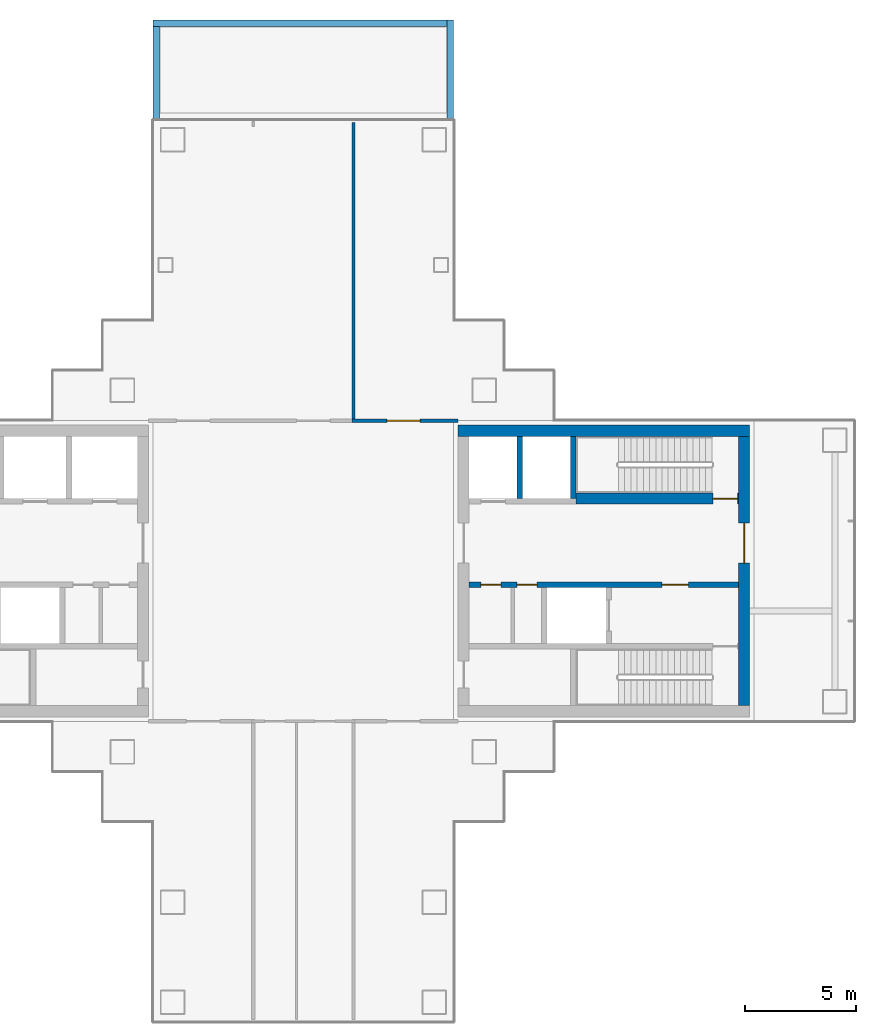
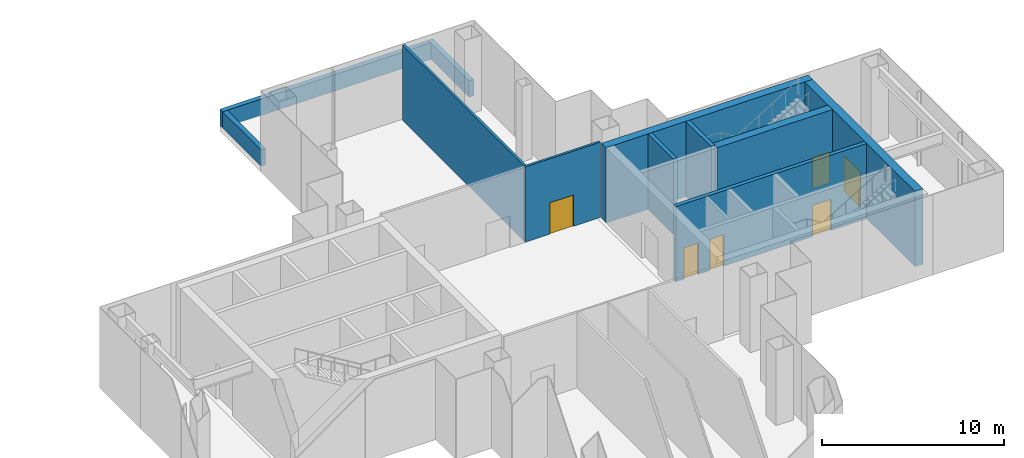
# One storey, part 12 of 15: 11 walls, 6 doors, 6 openings.
"""IFC4 building model written with IfcOpenShell, lengths in metres."""

from ifc_helpers import new_model, si_unit, direction, frame, frame_2d, origin, place, context, subcontext, project, spatial, rectangle, extrude, material, layer, layer_set, type_object, element, fill, save


model = new_model("IFC4")

# Units and contexts
model_context = context("Model", 3, precision=1e-05, world=origin(), true_north=direction((0.0, 1.0)))
body_context = subcontext(model_context, "Body", "Model", "MODEL_VIEW")
ifc_project = project(units=[si_unit("LENGTHUNIT", "METRE"), si_unit("AREAUNIT", "SQUARE_METRE"), si_unit("VOLUMEUNIT", "CUBIC_METRE"), si_unit("PLANEANGLEUNIT", "RADIAN"), si_unit("MASSUNIT", "GRAM", prefix="KILO")], contexts=[model_context])

# Site, building, storey
site_placement = place(None, origin())
site = spatial("IfcSite", under=ifc_project, at=site_placement, CompositionType="ELEMENT")
building_placement = place(site_placement, origin())
building = spatial("IfcBuilding", under=site, at=building_placement, Name="Shamsa Quay Exchange Towers", CompositionType="ELEMENT")
storey_placement = place(building_placement, frame((0.0, 0.0, 133.5)))
storey = spatial("IfcBuildingStorey", under=building, at=storey_placement, Name="L31", CompositionType="ELEMENT", Elevation=133.5)

# Wall
ifc_material_1 = material(Name="Concrete C60/75", Category="concrete")
ifc_layer_1 = layer(ifc_material_1, 0.5)
ifc_layer_set_1 = layer_set([ifc_layer_1], Name="CORE WALL 500 C60/75")
wall_type_1 = type_object("IfcWallType", Name="CORE WALL 500 C60/75", PredefinedType="SHEAR", material=ifc_layer_set_1)
wall_1_placement = place(storey_placement, frame((53.800048828125, 6.300048828125, 0.0), z_axis=(0.0, 0.0, 1.0), x_axis=(-1.0, 0.0, 0.0)))
element("IfcWall", 1, at=wall_1_placement, inside=storey, type_object=wall_type_1, Name="Core wall T2B-L31-PN", PredefinedType="SHEAR", context=body_context, shape_type="SweptSolid", body=[
    extrude(rectangle(XDim=13.10009765625, YDim=0.5, at=frame_2d((6.550048828125, 0.0))), origin(), (0.0, 0.0, 1.0), 5.050048828125),
])

# Wall, opening, door
wall_2_placement = place(storey_placement, frame((53.550048828125, -6.050048828125, 0.0), z_axis=(0.0, 0.0, 1.0), x_axis=(0.0, 1.0, 0.0)))
wall_2 = element("IfcWall", 2, at=wall_2_placement, inside=storey, type_object=wall_type_1, Name="Core wall T2B-L31-PF", PredefinedType="SHEAR", context=body_context, shape_type="SweptSolid", body=[
    extrude(rectangle(XDim=12.10009765625, YDim=0.5, at=frame_2d((6.050048828125, 0.0))), origin(), (0.0, 0.0, 1.0), 5.050048828125),
])
opening_1_placement = place(wall_2_placement, frame((6.39990234375, 0.0, 0.0)))
opening_1 = element("IfcOpeningElement", 3, at=opening_1_placement, cuts=wall_2, Name="Opening T2B-L31-LBD01", PredefinedType="OPENING", context=body_context, shape_type="SweptSolid", body=[
    extrude(rectangle(XDim=1.800048828125, YDim=2.39990234375, at=frame_2d((0.89990234375, 1.199951171875))), frame((0.0, 0.260009765625, 0.0), z_axis=(0.0, -1.0, 0.0), x_axis=(1.0, 0.0, 0.0)), (0.0, 0.0, 1.0), 0.52001953125),
])
ifc_material_2 = material(Name="Steel, fire rated", Category="steel")
door_type_1 = type_object("IfcDoorType", Name="LIFT LOBBY DOOR PAIR 1800", OperationType="DOUBLE_DOOR_SINGLE_SWING", PredefinedType="DOOR", material=ifc_material_2)
door_1_placement = place(opening_1_placement, origin())
door_1 = element("IfcDoor", 4, at=door_1_placement, inside=storey, type_object=door_type_1, Name="T2B-L31-LBD01", OperationType="DOUBLE_DOOR_SINGLE_SWING", OverallHeight=2.39990234375, OverallWidth=1.800048828125, PredefinedType="DOOR", context=body_context, shape_type="SweptSolid", body=[
    extrude(rectangle(XDim=1.800048828125, YDim=2.39990234375, at=frame_2d((0.89990234375, 1.199951171875))), frame((0.0, 0.02490234375, 0.0), z_axis=(0.0, -1.0, 0.0), x_axis=(1.0, 0.0, 0.0)), (0.0, 0.0, 1.0), 0.050048828125),
])
fill(opening_1, door_1)

ifc_material_3 = material(Name="Gypsum board partition on metal studs")
ifc_layer_2 = layer(ifc_material_3, 0.14990234375)
ifc_layer_set_2 = layer_set([ifc_layer_2], Name="Partition 150 mm EI 60")
wall_type_2 = type_object("IfcWallType", Name="Partition 150 mm EI 60", PredefinedType="PARTITIONING", material=ifc_layer_set_2)
wall_3_placement = place(storey_placement, frame((35.925048828125, 6.75, 0.0)))
wall_3 = element("IfcWall", 5, at=wall_3_placement, inside=storey, type_object=wall_type_2, Name="Partition T2-L31-W01", PredefinedType="PARTITIONING", context=body_context, shape_type="SweptSolid", body=[
    extrude(rectangle(XDim=4.77490234375, YDim=0.14990234375, at=frame_2d((2.387451171875, 0.0))), origin(), (0.0, 0.0, 1.0), 5.050048828125),
])
opening_2_placement = place(wall_3_placement, frame((1.574951171875, 0.0, 0.0)))
opening_2 = element("IfcOpeningElement", 6, at=opening_2_placement, cuts=wall_3, Name="Opening T2-L31-D01", PredefinedType="OPENING", context=body_context, shape_type="SweptSolid", body=[
    extrude(rectangle(XDim=1.5, YDim=2.10009765625, at=frame_2d((0.75, 1.050048828125))), frame((0.0, 0.0849609375, 0.0), z_axis=(0.0, -1.0, 0.0), x_axis=(1.0, 0.0, 0.0)), (0.0, 0.0, 1.0), 0.169921875),
])
ifc_material_4 = material(Name="Timber door leaf in a metal frame", Category="wood")
door_type_2 = type_object("IfcDoorType", Name="Door 1500x2100 FD30S pair", OperationType="NOTDEFINED", PredefinedType="DOOR", material=ifc_material_4)
door_2_placement = place(opening_2_placement, origin())
door_2 = element("IfcDoor", 7, at=door_2_placement, inside=storey, type_object=door_type_2, Name="Door T2-L31-D01", OperationType="DOUBLE_DOOR_SINGLE_SWING", OverallHeight=2.10009765625, OverallWidth=1.5, PredefinedType="DOOR", context=body_context, shape_type="SweptSolid", body=[
    extrude(rectangle(XDim=1.5, YDim=2.10009765625, at=frame_2d((0.75, 1.050048828125))), frame((0.0, 0.02490234375, 0.0), z_axis=(0.0, -1.0, 0.0), x_axis=(1.0, 0.0, 0.0)), (0.0, 0.0, 1.0), 0.050048828125),
])
fill(opening_2, door_2)

# Walls
wall_4_placement = place(storey_placement, frame((36.0, 20.155029296875, 0.0), z_axis=(0.0, 0.0, 1.0), x_axis=(0.0, -1.0, 0.0)))
element("IfcWall", 8, at=wall_4_placement, inside=storey, type_object=wall_type_2, Name="Partition T2-L31-W07", PredefinedType="PARTITIONING", context=body_context, shape_type="SweptSolid", body=[
    extrude(rectangle(XDim=13.330078125, YDim=0.14990234375, at=frame_2d((6.6650390625, 0.0))), origin(), (0.0, 0.0, 1.0), 5.050048828125),
])
ifc_material_5 = material(Name="Reinforced concrete C30/37", Category="concrete")
ifc_layer_3 = layer(ifc_material_5, 0.300048828125)
ifc_layer_set_3 = layer_set([ifc_layer_3], Name="ROOF PARAPET 300 C30/37")
wall_type_3 = type_object("IfcWallType", Name="ROOF PARAPET 300 C30/37", PredefinedType="PARAPET", material=ifc_layer_set_3)
wall_5_placement = place(storey_placement, frame((40.35009765625, 20.25, 0.0), z_axis=(0.0, 0.0, 1.0), x_axis=(0.0, 1.0, 0.0)))
element("IfcWall", 9, at=wall_5_placement, inside=storey, type_object=wall_type_3, Name="Parapet L30 1", PredefinedType="PARAPET", context=body_context, shape_type="SweptSolid", body=[
    extrude(rectangle(XDim=4.5, YDim=0.300048828125, at=frame_2d((2.25, 0.0))), origin(), (0.0, 0.0, 1.0), 1.10009765625),
])
wall_6_placement = place(storey_placement, frame((40.199951171875, 24.60009765625, 0.0), z_axis=(0.0, 0.0, 1.0), x_axis=(-1.0, 0.0, 0.0)))
element("IfcWall", 10, at=wall_6_placement, inside=storey, type_object=wall_type_3, Name="Parapet L30 2", PredefinedType="PARAPET", context=body_context, shape_type="SweptSolid", body=[
    extrude(rectangle(XDim=13.199951171875, YDim=0.300048828125, at=frame_2d((6.60009765625, 0.0))), origin(), (0.0, 0.0, 1.0), 1.10009765625),
])
wall_7_placement = place(storey_placement, frame((27.14990234375, 24.449951171875, 0.0), z_axis=(0.0, 0.0, 1.0), x_axis=(0.0, -1.0, 0.0)))
element("IfcWall", 11, at=wall_7_placement, inside=storey, type_object=wall_type_3, Name="Parapet L30 3", PredefinedType="PARAPET", context=body_context, shape_type="SweptSolid", body=[
    extrude(rectangle(XDim=4.199951171875, YDim=0.300048828125, at=frame_2d((2.10009765625, 0.0))), origin(), (0.0, 0.0, 1.0), 1.10009765625),
])

# Wall, openings, doors
ifc_material_6 = material(Name="Concrete C50/60", Category="concrete")
ifc_layer_4 = layer(ifc_material_6, 0.25)
ifc_layer_set_4 = layer_set([ifc_layer_4], Name="SHAFT WALL 250 C50/60")
wall_type_4 = type_object("IfcWallType", Name="SHAFT WALL 250 C50/60", PredefinedType="SHEAR", material=ifc_layer_set_4)
wall_8_placement = place(storey_placement, frame((53.300048828125, -0.625, 0.0), z_axis=(0.0, 0.0, 1.0), x_axis=(-1.0, 0.0, 0.0)))
wall_8 = element("IfcWall", 12, at=wall_8_placement, inside=storey, type_object=wall_type_4, Name="Shaft wall T2B-L31-B", PredefinedType="SHEAR", context=body_context, shape_type="SweptSolid", body=[
    extrude(rectangle(XDim=12.10009765625, YDim=0.25, at=frame_2d((6.050048828125, 0.0))), origin(), (0.0, 0.0, 1.0), 5.050048828125),
])
opening_3_placement = place(wall_8_placement, frame((2.25, 0.0, 0.0)))
opening_3 = element("IfcOpeningElement", 13, at=opening_3_placement, cuts=wall_8, Name="Opening T2B-L31-FD05", PredefinedType="OPENING", context=body_context, shape_type="SweptSolid", body=[
    extrude(rectangle(XDim=1.199951171875, YDim=2.10009765625, at=frame_2d((0.60009765625, 1.050048828125))), frame((0.0, 0.135009765625, 0.0), z_axis=(0.0, -1.0, 0.0), x_axis=(1.0, 0.0, 0.0)), (0.0, 0.0, 1.0), 0.27001953125),
])
opening_4_placement = place(wall_8_placement, frame((9.050048828125, 0.0, 0.0)))
opening_4 = element("IfcOpeningElement", 14, at=opening_4_placement, cuts=wall_8, Name="Opening T2B-L31-SV06", PredefinedType="OPENING", context=body_context, shape_type="SweptSolid", body=[
    extrude(rectangle(XDim=0.89990234375, YDim=2.10009765625, at=frame_2d((0.449951171875, 1.050048828125))), frame((0.0, 0.135009765625, 0.0), z_axis=(0.0, -1.0, 0.0), x_axis=(1.0, 0.0, 0.0)), (0.0, 0.0, 1.0), 0.27001953125),
])
opening_5_placement = place(wall_8_placement, frame((10.675048828125, 0.0, 0.0)))
opening_5 = element("IfcOpeningElement", 15, at=opening_5_placement, cuts=wall_8, Name="Opening T2B-L31-SV07", PredefinedType="OPENING", context=body_context, shape_type="SweptSolid", body=[
    extrude(rectangle(XDim=0.89990234375, YDim=2.10009765625, at=frame_2d((0.449951171875, 1.050048828125))), frame((0.0, 0.135009765625, 0.0), z_axis=(0.0, -1.0, 0.0), x_axis=(1.0, 0.0, 0.0)), (0.0, 0.0, 1.0), 0.27001953125),
])
door_type_3 = type_object("IfcDoorType", Name="FIRE SERVICE LOBBY DOOR 1200", OperationType="SINGLE_SWING_LEFT", PredefinedType="DOOR", material=ifc_material_2)
door_3_placement = place(opening_3_placement, origin())
door_3 = element("IfcDoor", 16, at=door_3_placement, inside=storey, type_object=door_type_3, Name="T2B-L31-FD05", OperationType="SINGLE_SWING_LEFT", OverallHeight=2.10009765625, OverallWidth=1.199951171875, PredefinedType="DOOR", context=body_context, shape_type="SweptSolid", body=[
    extrude(rectangle(XDim=1.199951171875, YDim=2.10009765625, at=frame_2d((0.60009765625, 1.050048828125))), frame((0.0, 0.02490234375, 0.0), z_axis=(0.0, -1.0, 0.0), x_axis=(1.0, 0.0, 0.0)), (0.0, 0.0, 1.0), 0.050048828125),
])
fill(opening_3, door_3)
door_type_4 = type_object("IfcDoorType", Name="SERVICE ROOM DOOR 900", OperationType="SINGLE_SWING_LEFT", PredefinedType="DOOR", material=ifc_material_2)
door_4_placement = place(opening_4_placement, origin())
door_4 = element("IfcDoor", 17, at=door_4_placement, inside=storey, type_object=door_type_4, Name="T2B-L31-SV06", OperationType="SINGLE_SWING_RIGHT", OverallHeight=2.10009765625, OverallWidth=0.89990234375, PredefinedType="DOOR", context=body_context, shape_type="SweptSolid", body=[
    extrude(rectangle(XDim=0.89990234375, YDim=2.10009765625, at=frame_2d((0.449951171875, 1.050048828125))), frame((0.0, 0.02490234375, 0.0), z_axis=(0.0, -1.0, 0.0), x_axis=(1.0, 0.0, 0.0)), (0.0, 0.0, 1.0), 0.050048828125),
])
fill(opening_4, door_4)
door_5_placement = place(opening_5_placement, origin())
door_5 = element("IfcDoor", 18, at=door_5_placement, inside=storey, type_object=door_type_4, Name="T2B-L31-SV07", OperationType="SINGLE_SWING_RIGHT", OverallHeight=2.10009765625, OverallWidth=0.89990234375, PredefinedType="DOOR", context=body_context, shape_type="SweptSolid", body=[
    extrude(rectangle(XDim=0.89990234375, YDim=2.10009765625, at=frame_2d((0.449951171875, 1.050048828125))), frame((0.0, 0.02490234375, 0.0), z_axis=(0.0, -1.0, 0.0), x_axis=(1.0, 0.0, 0.0)), (0.0, 0.0, 1.0), 0.050048828125),
])
fill(opening_5, door_5)

# Walls
for number, where, z_axis, x_axis, name in (
    (19, (45.875, 3.25, 0.0), (0.0, 0.0, 1.0), (0.0, 1.0, 0.0), "Shaft wall T2B-L31-STF2"),
    (20, (43.47509765625, 3.25, 0.0), (0.0, 0.0, 1.0), (0.0, 1.0, 0.0), "Shaft wall T2B-L31-D0"),
):
    element("IfcWall", number, at=place(storey_placement, frame(where, z_axis=z_axis, x_axis=x_axis)), inside=storey, type_object=wall_type_4, Name=name, PredefinedType="SHEAR", context=body_context, shape_type="SweptSolid", body=[
        extrude(rectangle(XDim=2.800048828125, YDim=0.25, at=frame_2d((1.39990234375, 0.0))), origin(), (0.0, 0.0, 1.0), 5.050048828125),
    ])

# Wall, opening, door
ifc_layer_5 = layer(ifc_material_6, 0.5)
ifc_layer_set_5 = layer_set([ifc_layer_5], Name="SHAFT WALL 500 C50/60")
wall_type_5 = type_object("IfcWallType", Name="SHAFT WALL 500 C50/60", PredefinedType="SHEAR", material=ifc_layer_set_5)
wall_9_placement = place(storey_placement, frame((46.0, 3.25, 0.0)))
wall_9 = element("IfcWall", 21, at=wall_9_placement, inside=storey, type_object=wall_type_5, Name="Shaft wall T2B-L31-N", PredefinedType="SHEAR", context=body_context, shape_type="SweptSolid", body=[
    extrude(rectangle(XDim=7.300048828125, YDim=0.5, at=frame_2d((3.64990234375, 0.0))), origin(), (0.0, 0.0, 1.0), 5.050048828125),
])
opening_6_placement = place(wall_9_placement, frame((6.14990234375, 0.0, 0.0)))
opening_6 = element("IfcOpeningElement", 22, at=opening_6_placement, cuts=wall_9, Name="Opening T2B-L31-SD09", PredefinedType="OPENING", context=body_context, shape_type="SweptSolid", body=[
    extrude(rectangle(XDim=1.10009765625, YDim=2.10009765625, at=frame_2d((0.550048828125, 1.050048828125))), frame((0.0, 0.260009765625, 0.0), z_axis=(0.0, -1.0, 0.0), x_axis=(1.0, 0.0, 0.0)), (0.0, 0.0, 1.0), 0.52001953125),
])
door_type_5 = type_object("IfcDoorType", Name="STAIR DOOR 1100", OperationType="SINGLE_SWING_LEFT", PredefinedType="DOOR", material=ifc_material_2)
door_6_placement = place(opening_6_placement, origin())
door_6 = element("IfcDoor", 23, at=door_6_placement, inside=storey, type_object=door_type_5, Name="T2B-L31-SD09", OperationType="SINGLE_SWING_RIGHT", OverallHeight=2.10009765625, OverallWidth=1.10009765625, PredefinedType="DOOR", context=body_context, shape_type="SweptSolid", body=[
    extrude(rectangle(XDim=1.10009765625, YDim=2.10009765625, at=frame_2d((0.550048828125, 1.050048828125))), frame((0.0, 0.02490234375, 0.0), z_axis=(0.0, -1.0, 0.0), x_axis=(1.0, 0.0, 0.0)), (0.0, 0.0, 1.0), 0.050048828125),
])
fill(opening_6, door_6)

save(model, "model.ifc")
